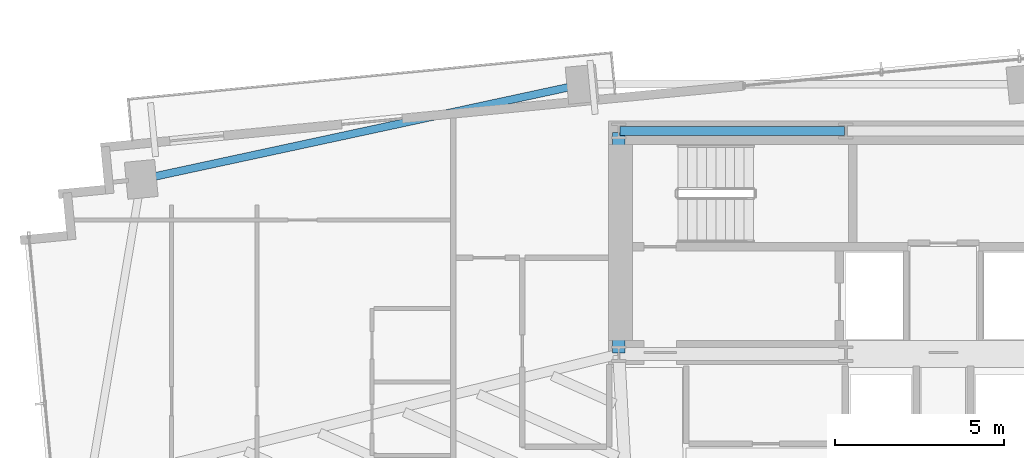
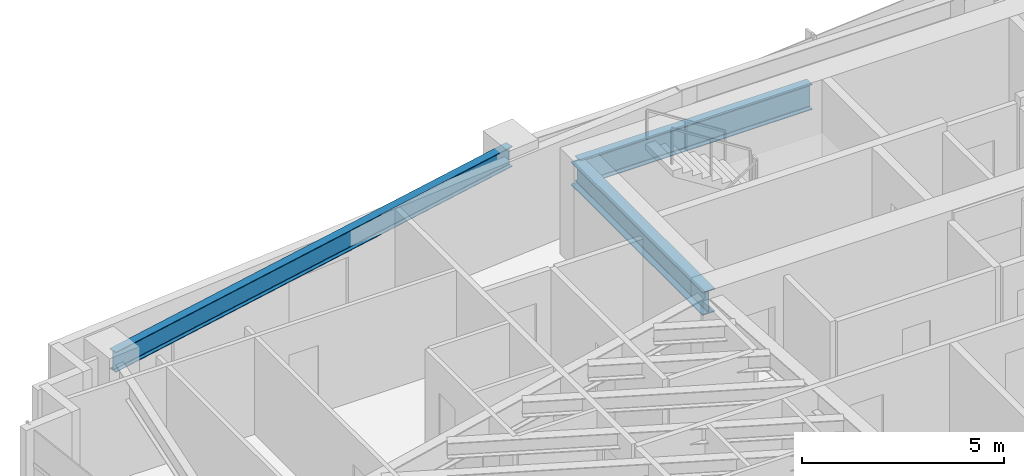
# One storey, part 9 of 25: 3 beams.
"""IFC4 building model written with IfcOpenShell, lengths in metres."""

from ifc_helpers import new_model, si_unit, direction, frame, origin, origin_2d, place, context, subcontext, project, spatial, i_section, extrude, source, transform, mapped, material, material_profile, profile_set, type_object, type_shapes, element, save


model = new_model("IFC4")

# Units and contexts
model_context = context("Model", 3, precision=1e-05, world=origin(), true_north=direction((0.0, 1.0)))
body_context = subcontext(model_context, "Body", "Model", "MODEL_VIEW")
ifc_project = project(units=[si_unit("LENGTHUNIT", "METRE"), si_unit("AREAUNIT", "SQUARE_METRE"), si_unit("VOLUMEUNIT", "CUBIC_METRE"), si_unit("PLANEANGLEUNIT", "RADIAN"), si_unit("MASSUNIT", "GRAM", prefix="KILO")], contexts=[model_context])

# Site, building, storey
site_placement = place(None, origin())
site = spatial("IfcSite", under=ifc_project, at=site_placement, CompositionType="ELEMENT")
building_placement = place(site_placement, origin())
building = spatial("IfcBuilding", under=site, at=building_placement, Name="Astriad Promenade Condominiums", CompositionType="ELEMENT")
storey_placement = place(building_placement, frame((0.0, 0.0, 106.60009765625)))
storey = spatial("IfcBuildingStorey", under=building, at=storey_placement, Name="L30", CompositionType="ELEMENT", Elevation=106.60009765625)

# Beams
ifc_material = material(Name="Steel ASTM A992 Grade 50", Category="steel")
ifc_material_profile_1 = material_profile(ifc_material, i_section(OverallWidth=0.267822265625, OverallDepth=0.76953125, WebThickness=0.015625, FlangeThickness=0.025390625, FilletRadius=0.021484375, at=origin_2d()), Name="W30X132")
ifc_profile_set_1 = profile_set([ifc_material_profile_1], Name="Steel ASTM A992 Grade 50")
beam_type_1 = type_object("IfcBeamType", Name="STEEL FLOOR GIRDER W30X132", PredefinedType="BEAM", material=ifc_profile_set_1)
shared_shape_1 = source(origin(), body_context, "Body", "SweptSolid", [
    extrude(i_section(OverallWidth=0.267822265625, OverallDepth=0.76953125, WebThickness=0.015625, FlangeThickness=0.025390625, FilletRadius=0.021484375, at=origin_2d()), origin(), (0.0, 0.0, 1.0), 6.64013671875),
])
type_shapes(beam_type_1, [shared_shape_1])
beam_1_placement = place(storey_placement, frame((26.43994140625, 24.0, 2.55517578125), z_axis=(1.0, 0.0, 0.0), x_axis=(0.0, 1.0, 0.0)))
element("IfcBeam", 1, at=beam_1_placement, inside=storey, type_object=beam_type_1, Name="Core Ring Beam CG-N1-L30", PredefinedType="BEAM", context=body_context, shape_type="MappedRepresentation", body=[
    mapped(shared_shape_1, transform((0.0, 0.0, 0.0), scale=1.0)),
])
ifc_material_profile_2 = material_profile(ifc_material, i_section(OverallWidth=0.35791015625, OverallDepth=0.706298828125, WebThickness=0.018310546875, FlangeThickness=0.0302734375, FilletRadius=0.020263671875, at=origin_2d()), Name="W27X178")
ifc_profile_set_2 = profile_set([ifc_material_profile_2], Name="Steel ASTM A992 Grade 50")
beam_type_2 = type_object("IfcBeamType", Name="STEEL FLOOR GIRDER W27X178", PredefinedType="BEAM", material=ifc_profile_set_2)
shared_shape_2 = source(origin(), body_context, "Body", "SweptSolid", [
    extrude(i_section(OverallWidth=0.35791015625, OverallDepth=0.706298828125, WebThickness=0.018310546875, FlangeThickness=0.0302734375, FilletRadius=0.020263671875, at=origin_2d()), origin(), (0.0, 0.0, 1.0), 6.52001953125),
])
type_shapes(beam_type_2, [shared_shape_2])
beam_2_placement = place(storey_placement, frame((26.39990234375, 17.43994140625, 2.586669921875), z_axis=(0.0, 1.0, 0.0), x_axis=(-1.0, 0.0, 0.0)))
element("IfcBeam", 2, at=beam_2_placement, inside=storey, type_object=beam_type_2, Name="Core Ring Beam CG-W1-L30", PredefinedType="BEAM", context=body_context, shape_type="MappedRepresentation", body=[
    mapped(shared_shape_2, transform((0.0, 0.0, 0.0), scale=1.0)),
])
ifc_material_profile_3 = material_profile(ifc_material, i_section(OverallWidth=0.22900390625, OverallDepth=0.612060546875, WebThickness=0.011962890625, FlangeThickness=0.01953125, FilletRadius=0.017822265625, at=origin_2d()), Name="W24X84")
ifc_profile_set_3 = profile_set([ifc_material_profile_3], Name="Steel ASTM A992 Grade 50")
beam_type_3 = type_object("IfcBeamType", Name="STEEL SPANDREL BEAM W24X84", PredefinedType="SPANDREL", material=ifc_profile_set_3)
shared_shape_3 = source(origin(), body_context, "Body", "SweptSolid", [
    extrude(i_section(OverallWidth=0.22900390625, OverallDepth=0.612060546875, WebThickness=0.011962890625, FlangeThickness=0.01953125, FilletRadius=0.017822265625, at=origin_2d()), origin(), (0.0, 0.0, 1.0), 13.25927734375),
])
type_shapes(beam_type_3, [shared_shape_3])
beam_3_placement = place(storey_placement, frame((25.27587890625, 25.37158203125, 2.6337890625), z_axis=(-0.977531608864, -0.210788884127, 0.0), x_axis=(0.210788884127, -0.977531608864, 0.0)))
element("IfcBeam", 3, at=beam_3_placement, inside=storey, type_object=beam_type_3, Name="Perimeter Spandrel Beam SP-N1-L30", PredefinedType="SPANDREL", context=body_context, shape_type="MappedRepresentation", body=[
    mapped(shared_shape_3, transform((0.0, 0.0, 0.0), scale=1.0)),
])

save(model, "model.ifc")
